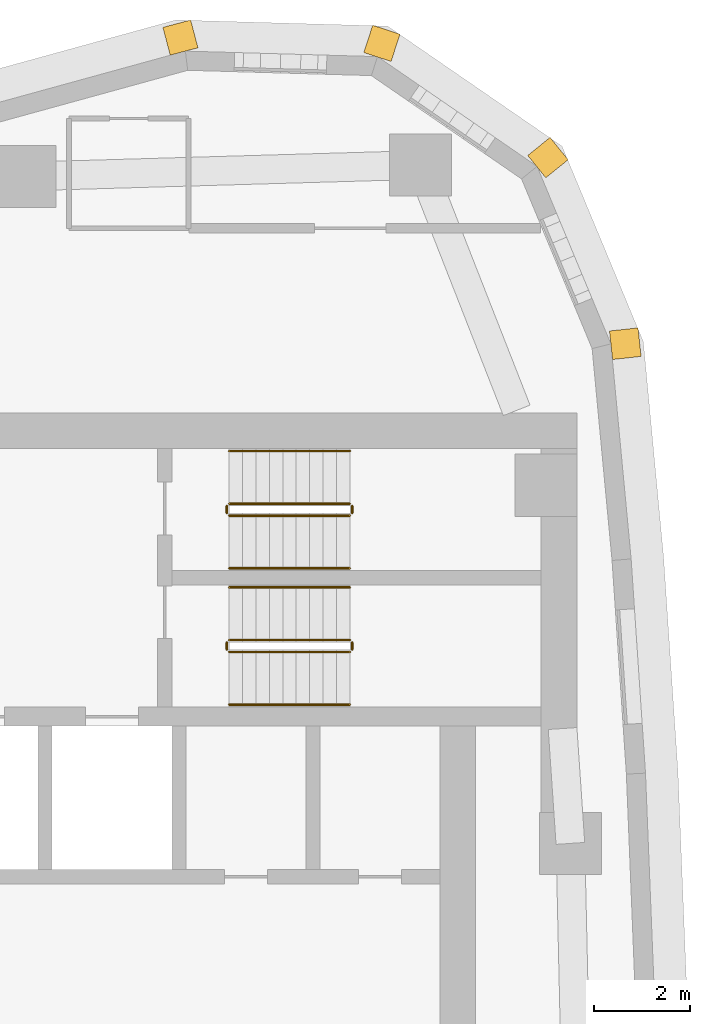
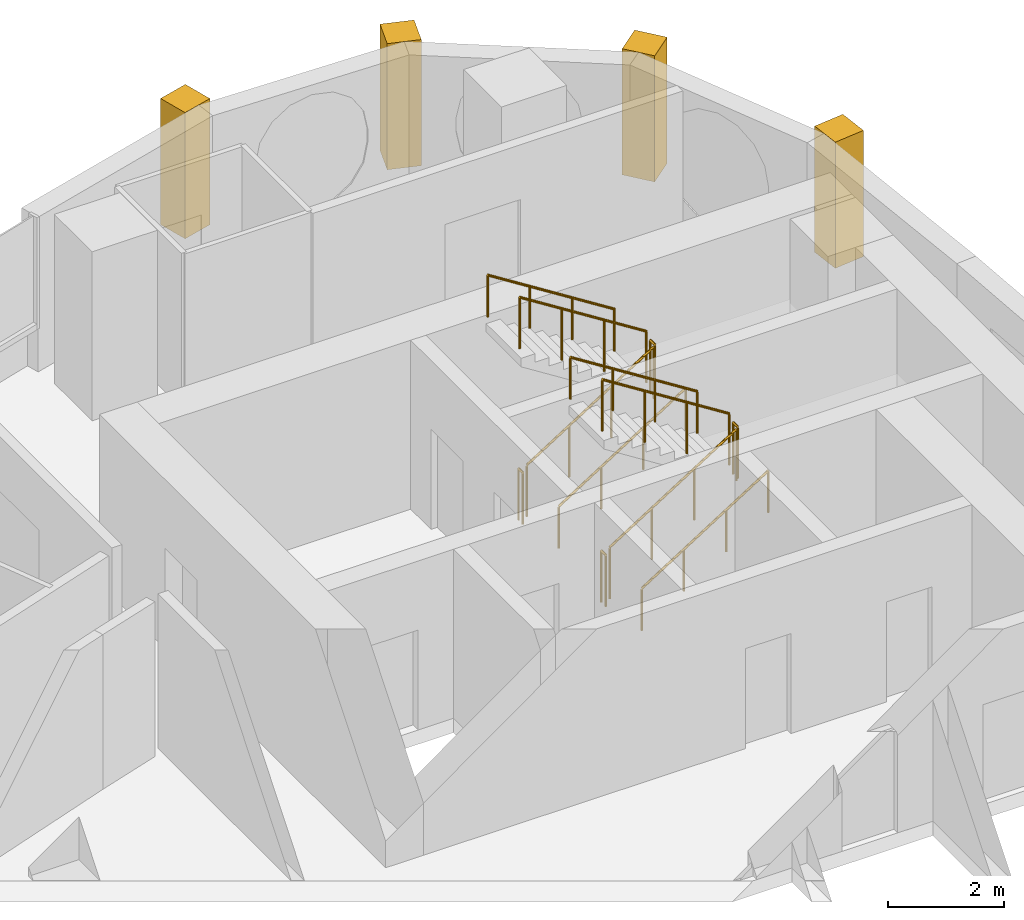
# One storey, part 17 of 17: 12 railings, 4 coverings.
"""IFC4 building model written with IfcOpenShell, lengths in metres."""

from ifc_helpers import new_model, si_unit, direction, frame, frame_2d, origin, origin_2d, place, context, subcontext, project, spatial, rectangle, circle, extrude, material, layer, layer_set, type_object, element, save


model = new_model("IFC4")

# Units and contexts
model_context = context("Model", 3, precision=1e-05, world=origin(), true_north=direction((0.0, 1.0)))
body_context = subcontext(model_context, "Body", "Model", "MODEL_VIEW")
ifc_project = project(units=[si_unit("LENGTHUNIT", "METRE"), si_unit("AREAUNIT", "SQUARE_METRE"), si_unit("VOLUMEUNIT", "CUBIC_METRE"), si_unit("PLANEANGLEUNIT", "RADIAN"), si_unit("MASSUNIT", "GRAM", prefix="KILO")], contexts=[model_context])

# Site, building, storey
site_placement = place(None, origin())
site = spatial("IfcSite", under=ifc_project, at=site_placement, CompositionType="ELEMENT")
building_placement = place(site_placement, origin())
building = spatial("IfcBuilding", under=site, at=building_placement, Name="Ostrand Prow Hotel Tower", CompositionType="ELEMENT")
storey_placement = place(building_placement, frame((0.0, 0.0, 182.60009765625)))
storey = spatial("IfcBuildingStorey", under=building, at=storey_placement, Name="L45", CompositionType="ELEMENT", Elevation=182.60009765625)

# Coverings
ifc_material_1 = material(Name="Limestone cladding", Category="masonry")
ifc_layer = layer(ifc_material_1, 0.60009765625)
ifc_layer_set = layer_set([ifc_layer], Name="Limestone cladding")
covering_type = type_object("IfcCoveringType", Name="Precast stone prow rib 600x600", PredefinedType="CLADDING", material=ifc_layer_set)
for number, where, z_axis, x_axis, name in (
    (1, (65.18017578125, 17.9111328125, 0.599853515625), (0.0, 0.0, 1.0), (0.994255138911, 0.107036062846, 0.0), "Stone corner rib 13a"),
    (2, (63.6279296875, 21.643798828125, 0.599853515625), (0.0, 0.0, 1.0), (0.776922530767, 0.62959620487, 0.0), "Stone corner rib 14a"),
    (3, (60.297607421875, 23.935302734375, 0.599853515625), (0.0, 0.0, 1.0), (0.310484329644, 0.950578498098, 0.0), "Stone corner rib 15a"),
    (4, (56.256591796875, 24.05126953125, 0.599853515625), (0.0, 0.0, 1.0), (-0.255154261231, 0.966900358349, 0.0), "Stone corner rib 15b"),
):
    element("IfcCovering", number, at=place(storey_placement, frame(where, z_axis=z_axis, x_axis=x_axis)), inside=storey, type_object=covering_type, Name=name, PredefinedType="CLADDING", context=body_context, shape_type="SweptSolid", body=[
        extrude(rectangle(XDim=0.599853515625, YDim=0.60009765625, at=frame_2d((0.2998046875, 0.0))), origin(), (0.0, 0.0, 1.0), 2.650146484375),
    ])

# Railings
ifc_material_2 = material(Name="Painted steel", Category="steel")
railing_type_1 = type_object("IfcRailingType", Name="Stair guard 1100", PredefinedType="GUARDRAIL", material=ifc_material_2)
railing_1_placement = place(storey_placement, frame((57.199951171875, 11.5, 0.177490234375)))
element("IfcRailing", 5, at=railing_1_placement, inside=storey, type_object=railing_type_1, Name="L45 ST1C stair guard 1", PredefinedType="GUARDRAIL", context=body_context, shape_type="SweptSolid", body=[
    extrude(circle(Radius=0.02392578125, at=origin_2d()), frame((0.0, 0.0, 1.076171875), z_axis=(0.84460694969, 0.0, 0.535386869969), x_axis=(0.0, 1.0, 0.0)), (0.0, 0.0, 1.0), 2.983642578125),
    extrude(circle(Radius=0.02099609375, at=origin_2d()), origin(), (0.0, 0.0, 1.0), 1.052001953125),
    extrude(circle(Radius=0.02099609375, at=origin_2d()), frame((0.840087890625, 0.0, 0.532470703125)), (0.0, 0.0, 1.0), 1.052001953125),
    extrude(circle(Radius=0.02099609375, at=origin_2d()), frame((1.679931640625, 0.0, 1.06494140625)), (0.0, 0.0, 1.0), 1.052001953125),
    extrude(circle(Radius=0.02099609375, at=origin_2d()), frame((2.52001953125, 0.0, 1.597412109375)), (0.0, 0.0, 1.0), 1.052001953125),
])
railing_2_placement = place(storey_placement, frame((59.77001953125, 11.550048828125, 1.77490234375)))
element("IfcRailing", 6, at=railing_2_placement, inside=storey, type_object=railing_type_1, Name="L45 ST1C stair guard 2", PredefinedType="GUARDRAIL", context=body_context, shape_type="SweptSolid", body=[
    extrude(circle(Radius=0.02392578125, at=origin_2d()), frame((0.0, 0.0, 1.076171875), z_axis=(0.0, 1.0, 0.0), x_axis=(-1.0, 0.0, 0.0)), (0.0, 0.0, 1.0), 0.14990234375),
    extrude(circle(Radius=0.02099609375, at=origin_2d()), origin(), (0.0, 0.0, 1.0), 1.052001953125),
    extrude(circle(Radius=0.02099609375, at=origin_2d()), frame((0.0, 0.14990234375, 0.0)), (0.0, 0.0, 1.0), 1.052001953125),
])
railing_3_placement = place(storey_placement, frame((59.719970703125, 11.75, 1.952392578125)))
element("IfcRailing", 7, at=railing_3_placement, inside=storey, type_object=railing_type_1, Name="L45 ST1C stair guard 3", PredefinedType="GUARDRAIL", context=body_context, shape_type="SweptSolid", body=[
    extrude(circle(Radius=0.02392578125, at=origin_2d()), frame((0.0, 0.0, 1.076171875), z_axis=(-0.84460694969, 0.0, 0.535386869969), x_axis=(0.0, -1.0, 0.0)), (0.0, 0.0, 1.0), 2.983642578125),
    extrude(circle(Radius=0.02099609375, at=origin_2d()), origin(), (0.0, 0.0, 1.0), 1.052001953125),
    extrude(circle(Radius=0.02099609375, at=origin_2d()), frame((-0.840087890625, 0.0, 0.532470703125)), (0.0, 0.0, 1.0), 1.052001953125),
    extrude(circle(Radius=0.02099609375, at=origin_2d()), frame((-1.679931640625, 0.0, 1.06494140625)), (0.0, 0.0, 1.0), 1.052001953125),
    extrude(circle(Radius=0.02099609375, at=origin_2d()), frame((-2.52001953125, 0.0, 1.597412109375)), (0.0, 0.0, 1.0), 1.052001953125),
])
railing_4_placement = place(storey_placement, frame((57.14990234375, 11.550048828125, 0.0)))
element("IfcRailing", 8, at=railing_4_placement, inside=storey, type_object=railing_type_1, Name="L45 ST1C stair guard 4", PredefinedType="GUARDRAIL", context=body_context, shape_type="SweptSolid", body=[
    extrude(circle(Radius=0.02392578125, at=origin_2d()), frame((0.0, 0.0, 1.076171875), z_axis=(0.0, 1.0, 0.0), x_axis=(-1.0, 0.0, 0.0)), (0.0, 0.0, 1.0), 0.14990234375),
    extrude(circle(Radius=0.02099609375, at=origin_2d()), origin(), (0.0, 0.0, 1.0), 1.052001953125),
    extrude(circle(Radius=0.02099609375, at=origin_2d()), frame((0.0, 0.14990234375, 0.0)), (0.0, 0.0, 1.0), 1.052001953125),
])
railing_5_placement = place(storey_placement, frame((57.199951171875, 14.35009765625, 0.177490234375)))
element("IfcRailing", 9, at=railing_5_placement, inside=storey, type_object=railing_type_1, Name="L45 ST3C stair guard 1", PredefinedType="GUARDRAIL", context=body_context, shape_type="SweptSolid", body=[
    extrude(circle(Radius=0.02392578125, at=origin_2d()), frame((0.0, 0.0, 1.076171875), z_axis=(0.84460694969, 0.0, 0.535386869969), x_axis=(0.0, 1.0, 0.0)), (0.0, 0.0, 1.0), 2.983642578125),
    extrude(circle(Radius=0.02099609375, at=origin_2d()), origin(), (0.0, 0.0, 1.0), 1.052001953125),
    extrude(circle(Radius=0.02099609375, at=origin_2d()), frame((0.840087890625, 0.0, 0.532470703125)), (0.0, 0.0, 1.0), 1.052001953125),
    extrude(circle(Radius=0.02099609375, at=origin_2d()), frame((1.679931640625, 0.0, 1.06494140625)), (0.0, 0.0, 1.0), 1.052001953125),
    extrude(circle(Radius=0.02099609375, at=origin_2d()), frame((2.52001953125, 0.0, 1.597412109375)), (0.0, 0.0, 1.0), 1.052001953125),
])
railing_6_placement = place(storey_placement, frame((59.77001953125, 14.39990234375, 1.77490234375)))
element("IfcRailing", 10, at=railing_6_placement, inside=storey, type_object=railing_type_1, Name="L45 ST3C stair guard 2", PredefinedType="GUARDRAIL", context=body_context, shape_type="SweptSolid", body=[
    extrude(circle(Radius=0.02392578125, at=origin_2d()), frame((0.0, 0.0, 1.076171875), z_axis=(0.0, 1.0, 0.0), x_axis=(-1.0, 0.0, 0.0)), (0.0, 0.0, 1.0), 0.150146484375),
    extrude(circle(Radius=0.02099609375, at=origin_2d()), origin(), (0.0, 0.0, 1.0), 1.052001953125),
    extrude(circle(Radius=0.02099609375, at=origin_2d()), frame((0.0, 0.150146484375, 0.0)), (0.0, 0.0, 1.0), 1.052001953125),
])
railing_7_placement = place(storey_placement, frame((59.719970703125, 14.60009765625, 1.952392578125)))
element("IfcRailing", 11, at=railing_7_placement, inside=storey, type_object=railing_type_1, Name="L45 ST3C stair guard 3", PredefinedType="GUARDRAIL", context=body_context, shape_type="SweptSolid", body=[
    extrude(circle(Radius=0.02392578125, at=origin_2d()), frame((0.0, 0.0, 1.076171875), z_axis=(-0.84460694969, 0.0, 0.535386869969), x_axis=(0.0, -1.0, 0.0)), (0.0, 0.0, 1.0), 2.983642578125),
    extrude(circle(Radius=0.02099609375, at=origin_2d()), origin(), (0.0, 0.0, 1.0), 1.052001953125),
    extrude(circle(Radius=0.02099609375, at=origin_2d()), frame((-0.840087890625, 0.0, 0.532470703125)), (0.0, 0.0, 1.0), 1.052001953125),
    extrude(circle(Radius=0.02099609375, at=origin_2d()), frame((-1.679931640625, 0.0, 1.06494140625)), (0.0, 0.0, 1.0), 1.052001953125),
    extrude(circle(Radius=0.02099609375, at=origin_2d()), frame((-2.52001953125, 0.0, 1.597412109375)), (0.0, 0.0, 1.0), 1.052001953125),
])
railing_8_placement = place(storey_placement, frame((57.14990234375, 14.39990234375, 0.0)))
element("IfcRailing", 12, at=railing_8_placement, inside=storey, type_object=railing_type_1, Name="L45 ST3C stair guard 4", PredefinedType="GUARDRAIL", context=body_context, shape_type="SweptSolid", body=[
    extrude(circle(Radius=0.02392578125, at=origin_2d()), frame((0.0, 0.0, 1.076171875), z_axis=(0.0, 1.0, 0.0), x_axis=(-1.0, 0.0, 0.0)), (0.0, 0.0, 1.0), 0.150146484375),
    extrude(circle(Radius=0.02099609375, at=origin_2d()), origin(), (0.0, 0.0, 1.0), 1.052001953125),
    extrude(circle(Radius=0.02099609375, at=origin_2d()), frame((0.0, 0.150146484375, 0.0)), (0.0, 0.0, 1.0), 1.052001953125),
])
ifc_material_3 = material(Name="Stainless steel", Category="steel")
railing_type_2 = type_object("IfcRailingType", Name="Stair handrail 900", PredefinedType="HANDRAIL", material=ifc_material_3)
railing_9_placement = place(storey_placement, frame((57.199951171875, 10.39990234375, 0.177490234375)))
element("IfcRailing", 13, at=railing_9_placement, inside=storey, type_object=railing_type_2, Name="L45 ST1C stair handrail 1", PredefinedType="HANDRAIL", context=body_context, shape_type="SweptSolid", body=[
    extrude(circle(Radius=0.02392578125, at=origin_2d()), frame((0.0, 0.0, 0.8759765625), z_axis=(0.84460694969, 0.0, 0.535386869969), x_axis=(0.0, 1.0, 0.0)), (0.0, 0.0, 1.0), 2.983642578125),
    extrude(circle(Radius=0.02099609375, at=origin_2d()), origin(), (0.0, 0.0, 1.0), 0.851806640625),
    extrude(circle(Radius=0.02099609375, at=origin_2d()), frame((0.840087890625, 0.0, 0.532470703125)), (0.0, 0.0, 1.0), 0.851806640625),
    extrude(circle(Radius=0.02099609375, at=origin_2d()), frame((1.679931640625, 0.0, 1.06494140625)), (0.0, 0.0, 1.0), 0.851806640625),
    extrude(circle(Radius=0.02099609375, at=origin_2d()), frame((2.52001953125, 0.0, 1.597412109375)), (0.0, 0.0, 1.0), 0.851806640625),
])
railing_10_placement = place(storey_placement, frame((59.719970703125, 12.85009765625, 1.952392578125)))
element("IfcRailing", 14, at=railing_10_placement, inside=storey, type_object=railing_type_2, Name="L45 ST1C stair handrail 2", PredefinedType="HANDRAIL", context=body_context, shape_type="SweptSolid", body=[
    extrude(circle(Radius=0.02392578125, at=origin_2d()), frame((0.0, 0.0, 0.8759765625), z_axis=(-0.84460694969, 0.0, 0.535386869969), x_axis=(0.0, -1.0, 0.0)), (0.0, 0.0, 1.0), 2.983642578125),
    extrude(circle(Radius=0.02099609375, at=origin_2d()), origin(), (0.0, 0.0, 1.0), 0.851806640625),
    extrude(circle(Radius=0.02099609375, at=origin_2d()), frame((-0.840087890625, 0.0, 0.532470703125)), (0.0, 0.0, 1.0), 0.851806640625),
    extrude(circle(Radius=0.02099609375, at=origin_2d()), frame((-1.679931640625, 0.0, 1.06494140625)), (0.0, 0.0, 1.0), 0.851806640625),
    extrude(circle(Radius=0.02099609375, at=origin_2d()), frame((-2.52001953125, 0.0, 1.597412109375)), (0.0, 0.0, 1.0), 0.851806640625),
])
railing_11_placement = place(storey_placement, frame((57.199951171875, 13.25, 0.177490234375)))
element("IfcRailing", 15, at=railing_11_placement, inside=storey, type_object=railing_type_2, Name="L45 ST3C stair handrail 1", PredefinedType="HANDRAIL", context=body_context, shape_type="SweptSolid", body=[
    extrude(circle(Radius=0.02392578125, at=origin_2d()), frame((0.0, 0.0, 0.8759765625), z_axis=(0.84460694969, 0.0, 0.535386869969), x_axis=(0.0, 1.0, 0.0)), (0.0, 0.0, 1.0), 2.983642578125),
    extrude(circle(Radius=0.02099609375, at=origin_2d()), origin(), (0.0, 0.0, 1.0), 0.851806640625),
    extrude(circle(Radius=0.02099609375, at=origin_2d()), frame((0.840087890625, 0.0, 0.532470703125)), (0.0, 0.0, 1.0), 0.851806640625),
    extrude(circle(Radius=0.02099609375, at=origin_2d()), frame((1.679931640625, 0.0, 1.06494140625)), (0.0, 0.0, 1.0), 0.851806640625),
    extrude(circle(Radius=0.02099609375, at=origin_2d()), frame((2.52001953125, 0.0, 1.597412109375)), (0.0, 0.0, 1.0), 0.851806640625),
])
railing_12_placement = place(storey_placement, frame((59.719970703125, 15.699951171875, 1.952392578125)))
element("IfcRailing", 16, at=railing_12_placement, inside=storey, type_object=railing_type_2, Name="L45 ST3C stair handrail 2", PredefinedType="HANDRAIL", context=body_context, shape_type="SweptSolid", body=[
    extrude(circle(Radius=0.02392578125, at=origin_2d()), frame((0.0, 0.0, 0.8759765625), z_axis=(-0.84460694969, 0.0, 0.535386869969), x_axis=(0.0, -1.0, 0.0)), (0.0, 0.0, 1.0), 2.983642578125),
    extrude(circle(Radius=0.02099609375, at=origin_2d()), origin(), (0.0, 0.0, 1.0), 0.851806640625),
    extrude(circle(Radius=0.02099609375, at=origin_2d()), frame((-0.840087890625, 0.0, 0.532470703125)), (0.0, 0.0, 1.0), 0.851806640625),
    extrude(circle(Radius=0.02099609375, at=origin_2d()), frame((-1.679931640625, 0.0, 1.06494140625)), (0.0, 0.0, 1.0), 0.851806640625),
    extrude(circle(Radius=0.02099609375, at=origin_2d()), frame((-2.52001953125, 0.0, 1.597412109375)), (0.0, 0.0, 1.0), 0.851806640625),
])

save(model, "model.ifc")
